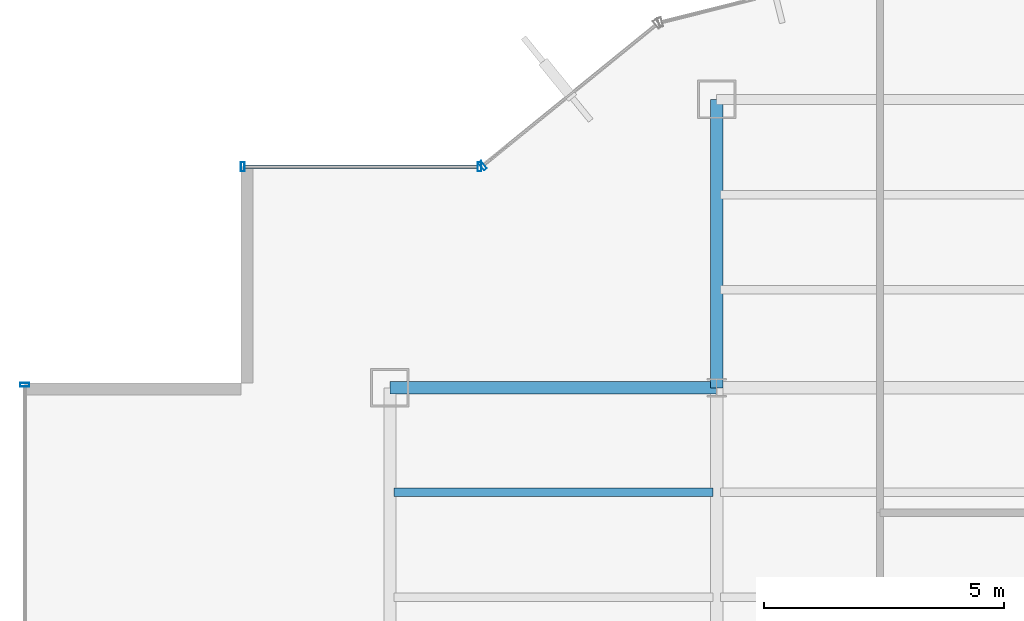
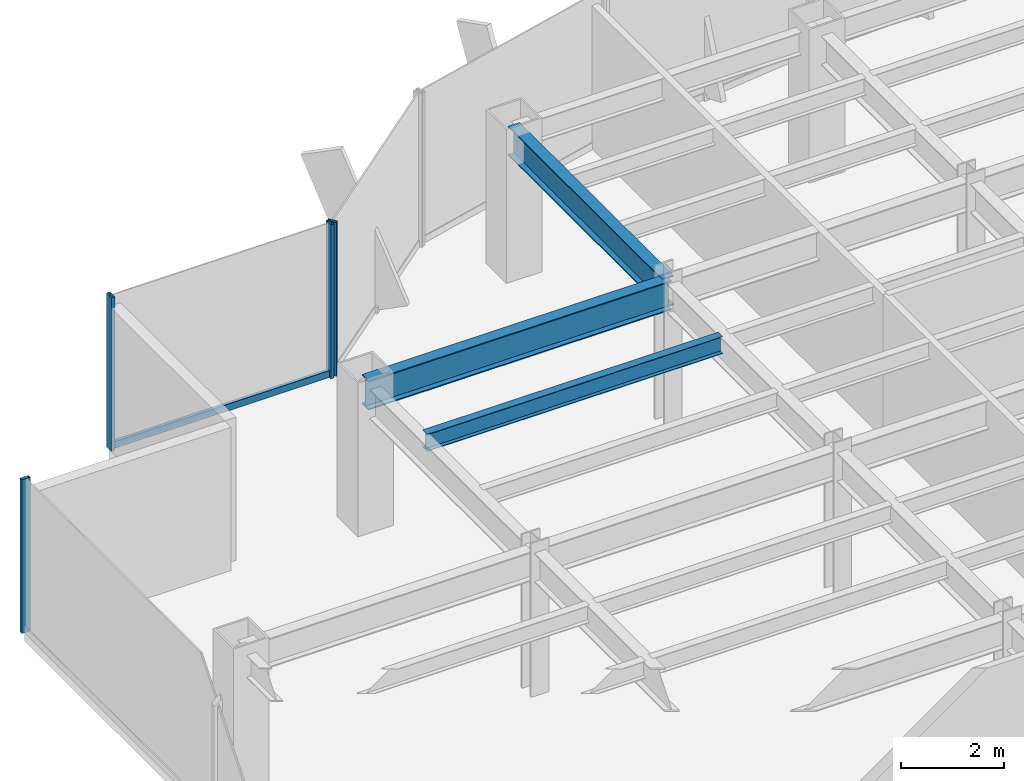
# One storey, part 13 of 26: 5 members, 3 beams, 3 elements without a shape of their own.
"""IFC4 building model written with IfcOpenShell, lengths in metres."""

from ifc_helpers import new_model, si_unit, derived_unit, direction, frame, origin, origin_2d, place, context, subcontext, project, spatial, hollow_rectangle, i_section, extrude, source, transform, mapped, material, material_profile, profile_set, type_object, element, aggregate, save


model = new_model("IFC4")

# Units and contexts
model_context = context("Model", 3, precision=1e-05, world=origin(), true_north=direction((0.0, 1.0)))
body_context = subcontext(model_context, "Body", "Model", "MODEL_VIEW")
ifc_project = project(units=[si_unit("LENGTHUNIT", "METRE"), si_unit("AREAUNIT", "SQUARE_METRE"), si_unit("VOLUMEUNIT", "CUBIC_METRE"), si_unit("PLANEANGLEUNIT", "RADIAN"), si_unit("MASSUNIT", "GRAM", prefix="KILO"), derived_unit("THERMALTRANSMITTANCEUNIT", [(si_unit("POWERUNIT", "WATT"), 1), (si_unit("LENGTHUNIT", "METRE"), -2), (si_unit("THERMODYNAMICTEMPERATUREUNIT", "KELVIN"), -1)])], contexts=[model_context])

# Site, building, storey
site_placement = place(None, origin())
site = spatial("IfcSite", under=ifc_project, at=site_placement, CompositionType="ELEMENT")
building_placement = place(site_placement, origin())
building = spatial("IfcBuilding", under=site, at=building_placement, Name="Skarnbrae Concourse Arena and Tower", CompositionType="ELEMENT")
storey_placement = place(building_placement, frame((0.0, 0.0, 95.949951171875)))
storey = spatial("IfcBuildingStorey", under=building, at=storey_placement, Name="L23", CompositionType="ELEMENT", Elevation=95.949951171875)

# Beams
ifc_material_1 = material(Name="Steel CSA G40.21 350W", Category="steel")
ifc_material_profile_1 = material_profile(ifc_material_1, i_section(OverallWidth=0.256103515625, OverallDepth=0.693115234375, WebThickness=0.014404296875, FlangeThickness=0.023681640625, at=origin_2d()), Name="W690X170")
ifc_profile_set_1 = profile_set([ifc_material_profile_1], Name="Steel CSA G40.21 350W")
beam_type_1 = type_object("IfcBeamType", Name="BM-GIRD-W690X170", PredefinedType="BEAM", material=ifc_profile_set_1)
shared_shape_1 = source(origin(), body_context, "Body", "SweptSolid", [
    extrude(i_section(OverallWidth=0.256103515625, OverallDepth=0.693115234375, WebThickness=0.014404296875, FlangeThickness=0.023681640625, at=origin_2d()), origin(), (0.0, 0.0, 1.0), 6.7998046875),
])
beam_1_placement = place(storey_placement, frame((7.60009765625, 34.39990234375, 3.053466796875), z_axis=(1.0, 0.0, 0.0), x_axis=(0.0, 1.0, 0.0)))
element("IfcBeam", 1, at=beam_1_placement, inside=storey, type_object=beam_type_1, Name="L23 Primary E-W girder Y34.4-1", PredefinedType="BEAM", context=body_context, shape_type="MappedRepresentation", body=[
    mapped(shared_shape_1, transform((0.0, 0.0, 0.0))),
])
shared_shape_2 = source(origin(), body_context, "Body", "SweptSolid", [
    extrude(i_section(OverallWidth=0.256103515625, OverallDepth=0.693115234375, WebThickness=0.014404296875, FlangeThickness=0.023681640625, at=origin_2d()), origin(), (0.0, 0.0, 1.0), 6.0),
])
beam_2_placement = place(storey_placement, frame((14.39990234375, 34.39990234375, 3.053466796875), z_axis=(0.0, 1.0, 0.0), x_axis=(-1.0, 0.0, 0.0)))
element("IfcBeam", 2, at=beam_2_placement, inside=storey, type_object=beam_type_1, Name="L23 Primary N-S girder X14.4-4", PredefinedType="BEAM", context=body_context, shape_type="MappedRepresentation", body=[
    mapped(shared_shape_2, transform((0.0, 0.0, 0.0))),
])
ifc_material_profile_2 = material_profile(ifc_material_1, i_section(OverallWidth=0.177978515625, OverallDepth=0.406982421875, WebThickness=0.0078125, FlangeThickness=0.0126953125, at=origin_2d()), Name="W410X60")
ifc_profile_set_2 = profile_set([ifc_material_profile_2], Name="Steel CSA G40.21 350W")
beam_type_2 = type_object("IfcBeamType", Name="BM-JOIST-W410X60", PredefinedType="JOIST", material=ifc_profile_set_2)
shared_shape_3 = source(origin(), body_context, "Body", "SweptSolid", [
    extrude(i_section(OverallWidth=0.177978515625, OverallDepth=0.406982421875, WebThickness=0.0078125, FlangeThickness=0.0126953125, at=origin_2d()), origin(), (0.0, 0.0, 1.0), 6.64013671875),
])
beam_3_placement = place(storey_placement, frame((7.679931640625, 32.221923828125, 3.196533203125), z_axis=(1.0, 0.0, 0.0), x_axis=(0.0, 1.0, 0.0)))
element("IfcBeam", 3, at=beam_3_placement, inside=storey, type_object=beam_type_2, Name="L23 Secondary floor joist 3.2.1", PredefinedType="JOIST", context=body_context, shape_type="MappedRepresentation", body=[
    mapped(shared_shape_3, transform((0.0, 0.0, 0.0))),
])

# Curtain wall, member
ifc_material_2 = material(Name="Bronze anodised aluminium 6063-T6", Category="aluminium")
curtain_wall_type = type_object("IfcCurtainWallType", Name="CW-SYS-04-MIDZONE", PredefinedType="USERDEFINED", material=ifc_material_2)
curtain_wall_1_placement = place(storey_placement, origin())
curtain_wall_1 = element("IfcCurtainWall", 4, at=curtain_wall_1_placement, inside=storey, type_object=curtain_wall_type, Name="L23 Unitised curtain wall CW-L23-E15", ObjectType="UNITISED CURTAIN WALL", PredefinedType="USERDEFINED")
ifc_material_profile_3 = material_profile(ifc_material_2, hollow_rectangle(XDim=0.074951171875, YDim=0.195068359375, WallThickness=0.00439453125, at=origin_2d()), Name="ALU-MULL-75X195")
ifc_profile_set_3 = profile_set([ifc_material_profile_3], Name="Bronze anodised aluminium 6063-T6")
member_type_1 = type_object("IfcMemberType", Name="CWM-CW-04", PredefinedType="MULLION", material=ifc_profile_set_3)
shared_shape_4 = source(origin(), body_context, "Body", "SweptSolid", [
    extrude(hollow_rectangle(XDim=0.074951171875, YDim=0.195068359375, WallThickness=0.00439453125, at=origin_2d()), origin(), (0.0, 0.0, 1.0), 3.650146484375),
])
member_1_placement = place(storey_placement, frame((9.529052734375, 39.023681640625, 0.0), z_axis=(0.0, 0.0, 1.0), x_axis=(-0.776241200471, -0.630436038542, 0.0)))
member_1 = element("IfcMember", 5, at=member_1_placement, type_object=member_type_1, Name="CW-L23-E15 Mullion 2", PredefinedType="MULLION", context=body_context, shape_type="MappedRepresentation", body=[
    mapped(shared_shape_4, transform((0.0, 0.0, 0.0))),
])
aggregate(curtain_wall_1, [member_1])

# Curtain wall, members
curtain_wall_2_placement = place(storey_placement, origin())
curtain_wall_2 = element("IfcCurtainWall", 6, at=curtain_wall_2_placement, inside=storey, type_object=curtain_wall_type, Name="L23 Unitised curtain wall CW-L23-E16", ObjectType="UNITISED CURTAIN WALL", PredefinedType="USERDEFINED")
member_2_placement = place(storey_placement, frame((9.46240234375, 39.0, 0.0), z_axis=(0.0, 0.0, 1.0), x_axis=(-1.0, 0.0, 0.0)))
member_2 = element("IfcMember", 7, at=member_2_placement, type_object=member_type_1, Name="CW-L23-E16 Mullion 1", PredefinedType="MULLION", context=body_context, shape_type="MappedRepresentation", body=[
    mapped(shared_shape_4, transform((0.0, 0.0, 0.0))),
])
member_3_placement = place(storey_placement, frame((4.53759765625, 39.0, 0.0), z_axis=(0.0, 0.0, 1.0), x_axis=(-1.0, 0.0, 0.0)))
member_3 = element("IfcMember", 8, at=member_3_placement, type_object=member_type_1, Name="CW-L23-E16 Mullion 2", PredefinedType="MULLION", context=body_context, shape_type="MappedRepresentation", body=[
    mapped(shared_shape_4, transform((0.0, 0.0, 0.0))),
])

# Curtain wall, member
curtain_wall_3_placement = place(storey_placement, origin())
curtain_wall_3 = element("IfcCurtainWall", 9, at=curtain_wall_3_placement, inside=storey, type_object=curtain_wall_type, Name="L23 Unitised curtain wall CW-L23-E19", ObjectType="UNITISED CURTAIN WALL", PredefinedType="USERDEFINED")
member_4_placement = place(storey_placement, frame((0.0, 34.46240234375, 0.0), z_axis=(0.0, 0.0, 1.0), x_axis=(0.0, -1.0, 0.0)))
member_4 = element("IfcMember", 10, at=member_4_placement, type_object=member_type_1, Name="CW-L23-E19 Mullion 1", PredefinedType="MULLION", context=body_context, shape_type="MappedRepresentation", body=[
    mapped(shared_shape_4, transform((0.0, 0.0, 0.0))),
])
aggregate(curtain_wall_3, [member_4])

# Member
ifc_material_profile_4 = material_profile(ifc_material_2, hollow_rectangle(XDim=0.074951171875, YDim=0.159912109375, WallThickness=0.00439453125, at=origin_2d()), Name="ALU-TRAN-75X160")
ifc_profile_set_4 = profile_set([ifc_material_profile_4], Name="Bronze anodised aluminium 6063-T6")
member_type_2 = type_object("IfcMemberType", Name="CWT-CW-04", PredefinedType="USERDEFINED", material=ifc_profile_set_4)
shared_shape_5 = source(origin(), body_context, "Body", "SweptSolid", [
    extrude(hollow_rectangle(XDim=0.074951171875, YDim=0.159912109375, WallThickness=0.00439453125, at=origin_2d()), origin(), (0.0, 0.0, 1.0), 4.85009765625),
])
member_5_placement = place(storey_placement, frame((9.425048828125, 39.0, 0.080078125), z_axis=(-1.0, 0.0, 0.0), x_axis=(0.0, -1.0, 0.0)))
member_5 = element("IfcMember", 11, at=member_5_placement, type_object=member_type_2, Name="CW-L23-E16 Transom 1", ObjectType="TRANSOM", PredefinedType="USERDEFINED", context=body_context, shape_type="MappedRepresentation", body=[
    mapped(shared_shape_5, transform((0.0, 0.0, 0.0))),
])

aggregate(curtain_wall_2, [member_2, member_3, member_5])

save(model, "model.ifc")
